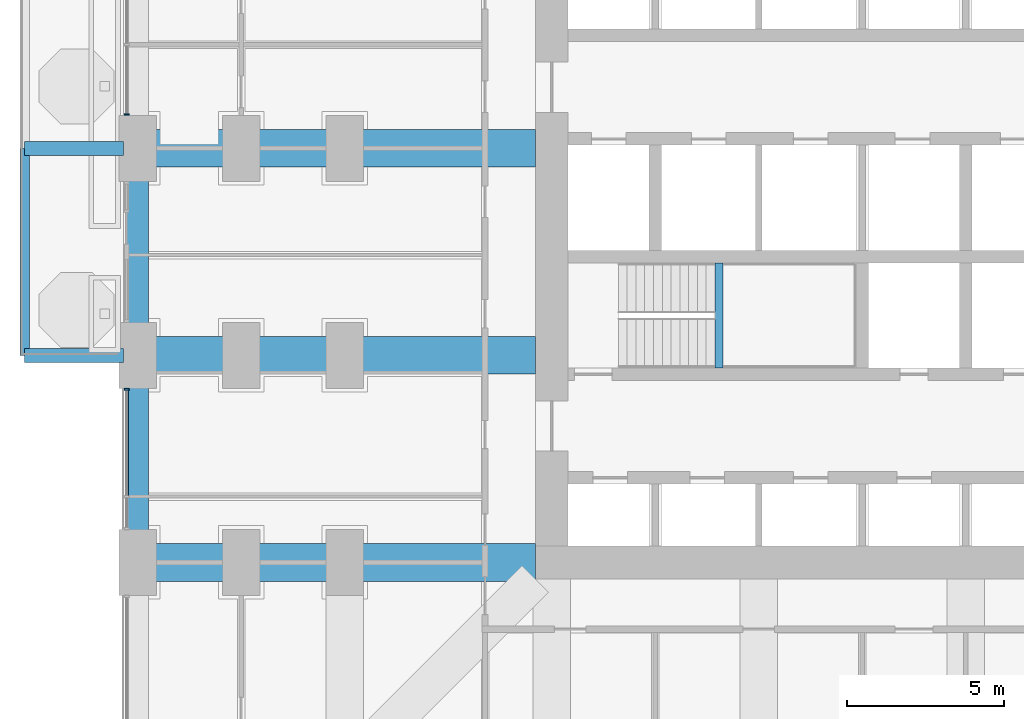
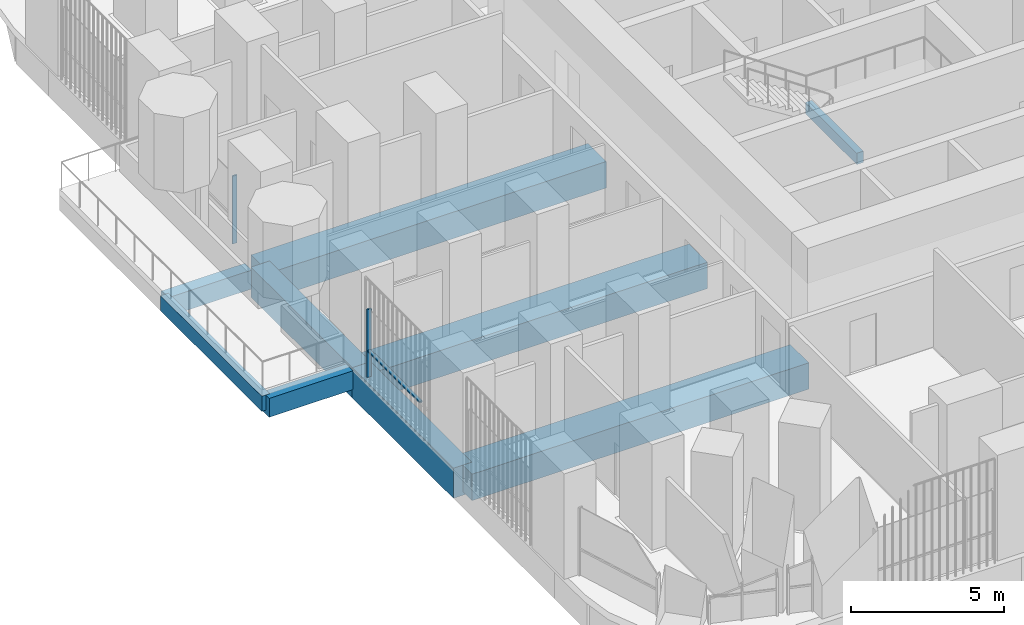
# One storey, part 3 of 26: 9 beams, 3 members, 2 elements without a shape of their own.
"""IFC4 building model written with IfcOpenShell, lengths in metres."""

from ifc_helpers import new_model, si_unit, direction, frame, origin, origin_2d, place, context, subcontext, project, spatial, rectangle, extrude, material, material_profile, profile_set, type_object, element, aggregate, save


model = new_model("IFC4")

# Units and contexts
model_context = context("Model", 3, precision=1e-05, world=origin(), true_north=direction((0.0, 1.0)))
body_context = subcontext(model_context, "Body", "Model", "MODEL_VIEW")
ifc_project = project(units=[si_unit("LENGTHUNIT", "METRE"), si_unit("AREAUNIT", "SQUARE_METRE"), si_unit("VOLUMEUNIT", "CUBIC_METRE"), si_unit("PLANEANGLEUNIT", "RADIAN"), si_unit("MASSUNIT", "GRAM", prefix="KILO")], contexts=[model_context])

# Site, building, storey
site_placement = place(None, origin())
site = spatial("IfcSite", under=ifc_project, at=site_placement, CompositionType="ELEMENT")
building_placement = place(site_placement, origin())
building = spatial("IfcBuilding", under=site, at=building_placement, Name="Cobogo Forest Laboratory Tower", CompositionType="ELEMENT")
storey_placement = place(building_placement, frame((0.0, 0.0, 33.89990234375)))
storey = spatial("IfcBuildingStorey", under=building, at=storey_placement, Name="L07", CompositionType="ELEMENT", Elevation=33.89990234375)

# Beams
ifc_material_1 = material(Name="Concrete HA-40 (C40/50)", Category="concrete")
ifc_material_profile_1 = material_profile(ifc_material_1, rectangle(XDim=0.449951171875, YDim=0.75, at=origin_2d()), Name="RC 450x750")
ifc_profile_set_1 = profile_set([ifc_material_profile_1], Name="Concrete HA-40 (C40/50)")
beam_type_1 = type_object("IfcBeamType", Name="Balcony cantilever beam 450x750", PredefinedType="BEAM", material=ifc_profile_set_1)
for number, where, z_axis, x_axis, name in (
    (1, (-0.449951171875, 19.800048828125, -0.625), (-1.0, 0.0, 0.0), (0.0, -1.0, 0.0), "CB1 BAL-W1-C1 L07"),
    (2, (-0.449951171875, 26.39990234375, -0.625), (-1.0, 0.0, 0.0), (0.0, -1.0, 0.0), "CB1 BAL-W1-C2 L07"),
):
    element("IfcBeam", number, at=place(storey_placement, frame(where, z_axis=z_axis, x_axis=x_axis)), inside=storey, type_object=beam_type_1, Name=name, PredefinedType="BEAM", context=body_context, shape_type="SweptSolid", body=[
        extrude(rectangle(XDim=0.449951171875, YDim=0.75, at=origin_2d()), origin(), (0.0, 0.0, 1.0), 3.150146484375),
    ])
ifc_material_profile_2 = material_profile(ifc_material_1, rectangle(XDim=0.300048828125, YDim=0.60009765625, at=origin_2d()), Name="RC 300x600")
ifc_profile_set_2 = profile_set([ifc_material_profile_2], Name="Concrete HA-40 (C40/50)")
beam_type_2 = type_object("IfcBeamType", Name="Balcony edge beam 300x600", PredefinedType="BEAM", material=ifc_profile_set_2)
beam_1_placement = place(storey_placement, frame((-3.60009765625, 19.800048828125, -0.5498046875), z_axis=(0.0, 1.0, 0.0), x_axis=(-1.0, 0.0, 0.0)))
element("IfcBeam", 3, at=beam_1_placement, inside=storey, type_object=beam_type_2, Name="BB1 BAL-W1-T1 L07", PredefinedType="BEAM", context=body_context, shape_type="SweptSolid", body=[
    extrude(rectangle(XDim=0.300048828125, YDim=0.60009765625, at=origin_2d()), origin(), (0.0, 0.0, 1.0), 6.599853515625),
])
ifc_material_profile_3 = material_profile(ifc_material_1, rectangle(XDim=0.25, YDim=0.449951171875, at=origin_2d()), Name="RC 250x450")
ifc_profile_set_3 = profile_set([ifc_material_profile_3], Name="Concrete HA-40 (C40/50)")
beam_type_3 = type_object("IfcBeamType", Name="LB1 landing beam 250x450", PredefinedType="BEAM", material=ifc_profile_set_3)
beam_2_placement = place(storey_placement, frame((18.530029296875, 19.39990234375, 1.675048828125), z_axis=(0.0, 1.0, 0.0), x_axis=(-1.0, 0.0, 0.0)))
element("IfcBeam", 4, at=beam_2_placement, inside=storey, type_object=beam_type_3, Name="Landing beam ST1 L07", PredefinedType="BEAM", context=body_context, shape_type="SweptSolid", body=[
    extrude(rectangle(XDim=0.25, YDim=0.449951171875, at=origin_2d()), origin(), (0.0, 0.0, 1.0), 3.35009765625),
])
ifc_material_profile_4 = material_profile(ifc_material_1, rectangle(XDim=1.199951171875, YDim=1.050048828125, at=origin_2d()), Name="RC 1200x1050")
ifc_profile_set_4 = profile_set([ifc_material_profile_4], Name="Concrete HA-40 (C40/50)")
beam_type_4 = type_object("IfcBeamType", Name="Laboratory floor wide beam 1200x1050", PredefinedType="BEAM", material=ifc_profile_set_4)
for number, where, z_axis, x_axis, name in (
    (5, (12.675048828125, 13.199951171875, -0.824951171875), (-1.0, 0.0, 0.0), (0.0, -1.0, 0.0), "RB1 R-C-W L07"),
    (6, (12.675048828125, 19.800048828125, -0.824951171875), (-1.0, 0.0, 0.0), (0.0, -1.0, 0.0), "RB1 R-D-W L07"),
    (7, (12.675048828125, 26.39990234375, -0.824951171875), (-1.0, 0.0, 0.0), (0.0, -1.0, 0.0), "RB1 R-E-W L07"),
):
    element("IfcBeam", number, at=place(storey_placement, frame(where, z_axis=z_axis, x_axis=x_axis)), inside=storey, type_object=beam_type_4, Name=name, PredefinedType="BEAM", context=body_context, shape_type="SweptSolid", body=[
        extrude(rectangle(XDim=1.199951171875, YDim=1.050048828125, at=origin_2d()), origin(), (0.0, 0.0, 1.0), 12.675048828125),
    ])

# Curtain wall, member
ifc_material_2 = material(Name="Aluminium curtain wall", Category="aluminium")
curtain_wall_type = type_object("IfcCurtainWallType", Name="CW-1 unitised curtain wall, clear glazing, laboratory floors zones A and B", PredefinedType="USERDEFINED", material=ifc_material_2)
curtain_wall_1_placement = place(storey_placement, origin())
curtain_wall_1 = element("IfcCurtainWall", 8, at=curtain_wall_1_placement, inside=storey, type_object=curtain_wall_type, Name="Curtain wall 28 L07", ObjectType="UNITISED CURTAIN WALL", PredefinedType="USERDEFINED")
ifc_material_3 = material(Name="Aluminium mullion", Category="aluminium")
ifc_material_profile_5 = material_profile(ifc_material_3, rectangle(XDim=0.06005859375, YDim=0.159912109375, at=origin_2d()), Name="AL 60x160")
ifc_profile_set_5 = profile_set([ifc_material_profile_5], Name="Aluminium mullion")
member_type_1 = type_object("IfcMemberType", Name="MU-1 aluminium mullion 60x160", PredefinedType="MULLION", material=ifc_profile_set_5)
member_1_placement = place(storey_placement, frame((-0.35009765625, 27.47998046875, 0.0), z_axis=(0.0, 0.0, 1.0), x_axis=(0.0, -1.0, 0.0)))
member_1 = element("IfcMember", 9, at=member_1_placement, type_object=member_type_1, Name="CW-1 mullion 3", PredefinedType="MULLION", context=body_context, shape_type="SweptSolid", body=[
    extrude(rectangle(XDim=0.06005859375, YDim=0.159912109375, at=origin_2d()), origin(), (0.0, 0.0, 1.0), 2.7001953125),
])
aggregate(curtain_wall_1, [member_1])

curtain_wall_2_placement = place(storey_placement, origin())
curtain_wall_2 = element("IfcCurtainWall", 10, at=curtain_wall_2_placement, inside=storey, type_object=curtain_wall_type, Name="Curtain wall 30 L07", ObjectType="UNITISED CURTAIN WALL", PredefinedType="USERDEFINED")
member_2_placement = place(storey_placement, frame((-0.35009765625, 18.719970703125, 0.0), z_axis=(0.0, 0.0, 1.0), x_axis=(0.0, -1.0, 0.0)))
member_2 = element("IfcMember", 11, at=member_2_placement, type_object=member_type_1, Name="CW-1 mullion 1", PredefinedType="MULLION", context=body_context, shape_type="SweptSolid", body=[
    extrude(rectangle(XDim=0.06005859375, YDim=0.159912109375, at=origin_2d()), origin(), (0.0, 0.0, 1.0), 2.7001953125),
])

# Beams
ifc_material_profile_6 = material_profile(ifc_material_1, rectangle(XDim=0.699951171875, YDim=1.199951171875, at=origin_2d()), Name="RC 700x1200")
ifc_profile_set_6 = profile_set([ifc_material_profile_6], Name="Concrete HA-40 (C40/50)")
beam_type_5 = type_object("IfcBeamType", Name="Perimeter edge beam 700x1200", PredefinedType="BEAM", material=ifc_profile_set_6)
beam_3_placement = place(storey_placement, frame((0.0, 13.199951171875, -0.89990234375), z_axis=(0.0, 1.0, 0.0), x_axis=(-1.0, 0.0, 0.0)))
element("IfcBeam", 12, at=beam_3_placement, inside=storey, type_object=beam_type_5, Name="EB1 E-W2 L07", PredefinedType="BEAM", context=body_context, shape_type="SweptSolid", body=[
    extrude(rectangle(XDim=0.699951171875, YDim=1.199951171875, at=origin_2d()), origin(), (0.0, 0.0, 1.0), 6.60009765625),
])
beam_4_placement = place(storey_placement, frame((0.0, 19.800048828125, -0.89990234375), z_axis=(0.0, 1.0, 0.0), x_axis=(-1.0, 0.0, 0.0)))
element("IfcBeam", 13, at=beam_4_placement, inside=storey, type_object=beam_type_5, Name="EB1 E-W3 L07", PredefinedType="BEAM", context=body_context, shape_type="SweptSolid", body=[
    extrude(rectangle(XDim=0.699951171875, YDim=1.199951171875, at=origin_2d()), origin(), (0.0, 0.0, 1.0), 6.599853515625),
])

# Member
ifc_material_4 = material(Name="Aluminium transom", Category="aluminium")
ifc_material_profile_7 = material_profile(ifc_material_4, rectangle(XDim=0.1201171875, YDim=0.06005859375, at=origin_2d()), Name="AL 60x120")
ifc_profile_set_7 = profile_set([ifc_material_profile_7], Name="Aluminium transom")
member_type_2 = type_object("IfcMemberType", Name="TR-1 aluminium transom 60x120", PredefinedType="USERDEFINED", material=ifc_profile_set_7)
member_3_placement = place(storey_placement, frame((-0.35009765625, 18.68994140625, 1.050048828125), z_axis=(0.0, -1.0, 0.0), x_axis=(1.0, 0.0, 0.0)))
member_3 = element("IfcMember", 14, at=member_3_placement, type_object=member_type_2, Name="CW-1 transom 1.1", ObjectType="TRANSOM", PredefinedType="USERDEFINED", context=body_context, shape_type="SweptSolid", body=[
    extrude(rectangle(XDim=0.1201171875, YDim=0.06005859375, at=origin_2d()), origin(), (0.0, 0.0, 1.0), 3.35986328125),
])

aggregate(curtain_wall_2, [member_2, member_3])

save(model, "model.ifc")
